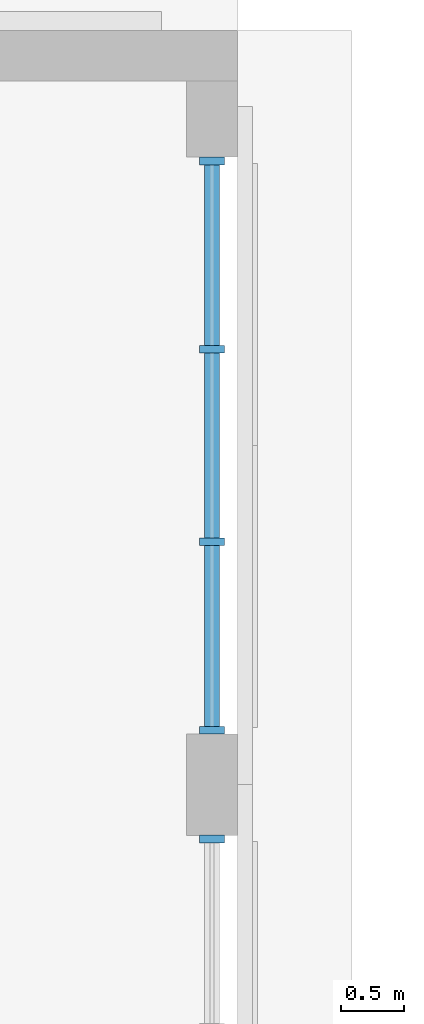
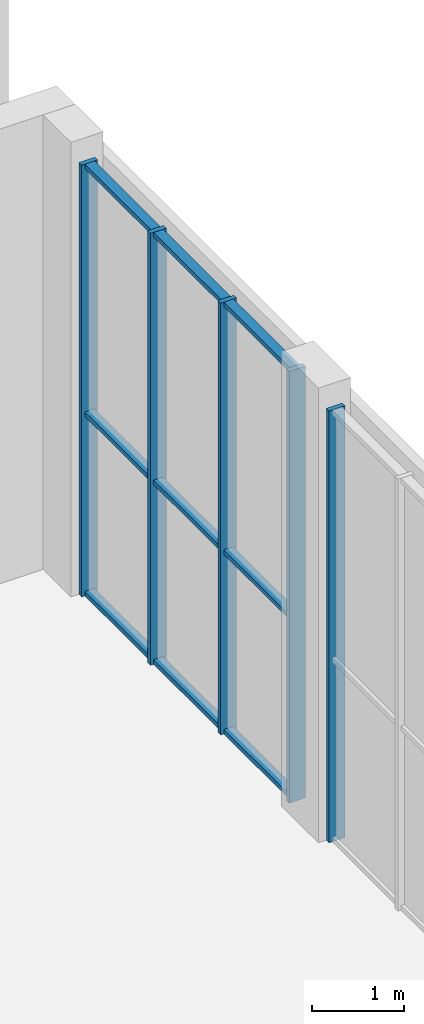
# One storey, part 11 of 74: 14 members, 2 elements without a shape of their own.
"""IFC4 building model written with IfcOpenShell, lengths in metres."""

from ifc_helpers import new_model, si_unit, direction, frame, origin, origin_2d, place, context, subcontext, project, spatial, rectangle, extrude, material, layer, layer_set, material_profile, profile_set, type_object, element, aggregate, save


model = new_model("IFC4")

# Units and contexts
model_context = context("Model", 3, precision=1e-05, world=origin(), true_north=direction((0.0, 1.0)))
body_context = subcontext(model_context, "Body", "Model", "MODEL_VIEW")
ifc_project = project(units=[si_unit("LENGTHUNIT", "METRE"), si_unit("AREAUNIT", "SQUARE_METRE"), si_unit("VOLUMEUNIT", "CUBIC_METRE"), si_unit("PLANEANGLEUNIT", "RADIAN"), si_unit("MASSUNIT", "GRAM", prefix="KILO")], contexts=[model_context])

# Site, building, storey
site_placement = place(None, origin())
site = spatial("IfcSite", under=ifc_project, at=site_placement, CompositionType="ELEMENT")
building_placement = place(site_placement, origin())
building = spatial("IfcBuilding", under=site, at=building_placement, Name="Noorbagh Ring Tower", CompositionType="ELEMENT")
storey_placement = place(building_placement, frame((0.0, 0.0, 13.5)))
storey = spatial("IfcBuildingStorey", under=building, at=storey_placement, Name="L02", CompositionType="ELEMENT", Elevation=13.5)

# Curtain wall, member
ifc_material_1 = material(Name="Aluminium and glass", Category="aluminium")
ifc_layer = layer(ifc_material_1, 0.199951171875)
ifc_layer_set = layer_set([ifc_layer], Name="Aluminium and glass")
curtain_wall_type = type_object("IfcCurtainWallType", Name="TH-CW", PredefinedType="NOTDEFINED", material=ifc_layer_set)
curtain_wall_1_placement = place(storey_placement, origin())
curtain_wall_1 = element("IfcCurtainWall", 1, at=curtain_wall_1_placement, inside=storey, type_object=curtain_wall_type, Name="Foyer glazing", PredefinedType="NOTDEFINED")
ifc_material_2 = material(Name="Aluminium", Category="aluminium")
ifc_material_profile_1 = material_profile(ifc_material_2, rectangle(XDim=0.199951171875, YDim=0.06005859375, at=origin_2d()), Name="AL 200x60")
ifc_profile_set_1 = profile_set([ifc_material_profile_1], Name="Aluminium")
member_type_1 = type_object("IfcMemberType", Name="TH-CW-MULLION", PredefinedType="MULLION", material=ifc_profile_set_1)
member_1_placement = place(storey_placement, frame((-95.199951171875, 24.6201171875, 0.0), z_axis=(0.0, 0.0, 1.0), x_axis=(-1.0, 0.0, 0.0)))
member_1 = element("IfcMember", 2, at=member_1_placement, type_object=member_type_1, Name="CW-T mullion 4", PredefinedType="MULLION", context=body_context, shape_type="SweptSolid", body=[
    extrude(rectangle(XDim=0.199951171875, YDim=0.06005859375, at=origin_2d()), origin(), (0.0, 0.0, 1.0), 5.699951171875),
])
aggregate(curtain_wall_1, [member_1])

# Curtain wall, members
curtain_wall_2_placement = place(storey_placement, origin())
curtain_wall_2 = element("IfcCurtainWall", 3, at=curtain_wall_2_placement, inside=storey, type_object=curtain_wall_type, Name="Foyer glazing", PredefinedType="NOTDEFINED")
member_2_placement = place(storey_placement, frame((-95.199951171875, 25.47998046875, 0.0), z_axis=(0.0, 0.0, 1.0), x_axis=(-1.0, 0.0, 0.0)))
member_2 = element("IfcMember", 4, at=member_2_placement, type_object=member_type_1, Name="CW-T mullion 1", PredefinedType="MULLION", context=body_context, shape_type="SweptSolid", body=[
    extrude(rectangle(XDim=0.199951171875, YDim=0.06005859375, at=origin_2d()), origin(), (0.0, 0.0, 1.0), 5.699951171875),
])
member_3_placement = place(storey_placement, frame((-95.199951171875, 26.966552734375, 0.0), z_axis=(0.0, 0.0, 1.0), x_axis=(-1.0, 0.0, 0.0)))
member_3 = element("IfcMember", 5, at=member_3_placement, type_object=member_type_1, Name="CW-T mullion 2", PredefinedType="MULLION", context=body_context, shape_type="SweptSolid", body=[
    extrude(rectangle(XDim=0.199951171875, YDim=0.06005859375, at=origin_2d()), origin(), (0.0, 0.0, 1.0), 5.699951171875),
])
member_4_placement = place(storey_placement, frame((-95.199951171875, 28.4833984375, 0.0), z_axis=(0.0, 0.0, 1.0), x_axis=(-1.0, 0.0, 0.0)))
member_4 = element("IfcMember", 6, at=member_4_placement, type_object=member_type_1, Name="CW-T mullion 3", PredefinedType="MULLION", context=body_context, shape_type="SweptSolid", body=[
    extrude(rectangle(XDim=0.199951171875, YDim=0.06005859375, at=origin_2d()), origin(), (0.0, 0.0, 1.0), 5.699951171875),
])
member_5_placement = place(storey_placement, frame((-95.199951171875, 29.969970703125, 0.0), z_axis=(0.0, 0.0, 1.0), x_axis=(-1.0, 0.0, 0.0)))
member_5 = element("IfcMember", 7, at=member_5_placement, type_object=member_type_1, Name="CW-T mullion 4", PredefinedType="MULLION", context=body_context, shape_type="SweptSolid", body=[
    extrude(rectangle(XDim=0.199951171875, YDim=0.06005859375, at=origin_2d()), origin(), (0.0, 0.0, 1.0), 5.699951171875),
])
ifc_material_3 = material(Name="Aluminium", Category="aluminium")
ifc_material_profile_2 = material_profile(ifc_material_3, rectangle(XDim=0.1201171875, YDim=0.06005859375, at=origin_2d()), Name="AL 120x60")
ifc_profile_set_2 = profile_set([ifc_material_profile_2], Name="Aluminium")
member_type_2 = type_object("IfcMemberType", Name="TH-CW-TRANSOM", PredefinedType="USERDEFINED", material=ifc_profile_set_2)
member_6_placement = place(storey_placement, frame((-95.199951171875, 25.510009765625, 0.030029296875), z_axis=(0.0, 1.0, 0.0), x_axis=(-1.0, 0.0, 0.0)))
member_6 = element("IfcMember", 8, at=member_6_placement, type_object=member_type_2, Name="CW-T transom 1.1", ObjectType="TRANSOM", PredefinedType="USERDEFINED", context=body_context, shape_type="SweptSolid", body=[
    extrude(rectangle(XDim=0.1201171875, YDim=0.06005859375, at=origin_2d()), origin(), (0.0, 0.0, 1.0), 1.4267578125),
])
member_7_placement = place(storey_placement, frame((-95.199951171875, 25.510009765625, 2.39990234375), z_axis=(0.0, 1.0, 0.0), x_axis=(-1.0, 0.0, 0.0)))
member_7 = element("IfcMember", 9, at=member_7_placement, type_object=member_type_2, Name="CW-T transom 1.2", ObjectType="TRANSOM", PredefinedType="USERDEFINED", context=body_context, shape_type="SweptSolid", body=[
    extrude(rectangle(XDim=0.1201171875, YDim=0.06005859375, at=origin_2d()), origin(), (0.0, 0.0, 1.0), 1.4267578125),
])
member_8_placement = place(storey_placement, frame((-95.199951171875, 25.510009765625, 5.669921875), z_axis=(0.0, 1.0, 0.0), x_axis=(-1.0, 0.0, 0.0)))
member_8 = element("IfcMember", 10, at=member_8_placement, type_object=member_type_2, Name="CW-T transom 1.3", ObjectType="TRANSOM", PredefinedType="USERDEFINED", context=body_context, shape_type="SweptSolid", body=[
    extrude(rectangle(XDim=0.1201171875, YDim=0.06005859375, at=origin_2d()), origin(), (0.0, 0.0, 1.0), 1.4267578125),
])
member_9_placement = place(storey_placement, frame((-95.199951171875, 26.99658203125, 0.030029296875), z_axis=(0.0, 1.0, 0.0), x_axis=(-1.0, 0.0, 0.0)))
member_9 = element("IfcMember", 11, at=member_9_placement, type_object=member_type_2, Name="CW-T transom 2.1", ObjectType="TRANSOM", PredefinedType="USERDEFINED", context=body_context, shape_type="SweptSolid", body=[
    extrude(rectangle(XDim=0.1201171875, YDim=0.06005859375, at=origin_2d()), origin(), (0.0, 0.0, 1.0), 1.456787109375),
])
member_10_placement = place(storey_placement, frame((-95.199951171875, 26.99658203125, 2.39990234375), z_axis=(0.0, 1.0, 0.0), x_axis=(-1.0, 0.0, 0.0)))
member_10 = element("IfcMember", 12, at=member_10_placement, type_object=member_type_2, Name="CW-T transom 2.2", ObjectType="TRANSOM", PredefinedType="USERDEFINED", context=body_context, shape_type="SweptSolid", body=[
    extrude(rectangle(XDim=0.1201171875, YDim=0.06005859375, at=origin_2d()), origin(), (0.0, 0.0, 1.0), 1.456787109375),
])
member_11_placement = place(storey_placement, frame((-95.199951171875, 26.99658203125, 5.669921875), z_axis=(0.0, 1.0, 0.0), x_axis=(-1.0, 0.0, 0.0)))
member_11 = element("IfcMember", 13, at=member_11_placement, type_object=member_type_2, Name="CW-T transom 2.3", ObjectType="TRANSOM", PredefinedType="USERDEFINED", context=body_context, shape_type="SweptSolid", body=[
    extrude(rectangle(XDim=0.1201171875, YDim=0.06005859375, at=origin_2d()), origin(), (0.0, 0.0, 1.0), 1.456787109375),
])
member_12_placement = place(storey_placement, frame((-95.199951171875, 28.513427734375, 0.030029296875), z_axis=(0.0, 1.0, 0.0), x_axis=(-1.0, 0.0, 0.0)))
member_12 = element("IfcMember", 14, at=member_12_placement, type_object=member_type_2, Name="CW-T transom 3.1", ObjectType="TRANSOM", PredefinedType="USERDEFINED", context=body_context, shape_type="SweptSolid", body=[
    extrude(rectangle(XDim=0.1201171875, YDim=0.06005859375, at=origin_2d()), origin(), (0.0, 0.0, 1.0), 1.426513671875),
])
member_13_placement = place(storey_placement, frame((-95.199951171875, 28.513427734375, 2.39990234375), z_axis=(0.0, 1.0, 0.0), x_axis=(-1.0, 0.0, 0.0)))
member_13 = element("IfcMember", 15, at=member_13_placement, type_object=member_type_2, Name="CW-T transom 3.2", ObjectType="TRANSOM", PredefinedType="USERDEFINED", context=body_context, shape_type="SweptSolid", body=[
    extrude(rectangle(XDim=0.1201171875, YDim=0.06005859375, at=origin_2d()), origin(), (0.0, 0.0, 1.0), 1.426513671875),
])
member_14_placement = place(storey_placement, frame((-95.199951171875, 28.513427734375, 5.669921875), z_axis=(0.0, 1.0, 0.0), x_axis=(-1.0, 0.0, 0.0)))
member_14 = element("IfcMember", 16, at=member_14_placement, type_object=member_type_2, Name="CW-T transom 3.3", ObjectType="TRANSOM", PredefinedType="USERDEFINED", context=body_context, shape_type="SweptSolid", body=[
    extrude(rectangle(XDim=0.1201171875, YDim=0.06005859375, at=origin_2d()), origin(), (0.0, 0.0, 1.0), 1.426513671875),
])
aggregate(curtain_wall_2, [member_2, member_3, member_4, member_5, member_6, member_7, member_8, member_9, member_10, member_11, member_12, member_13, member_14])

save(model, "model.ifc")
